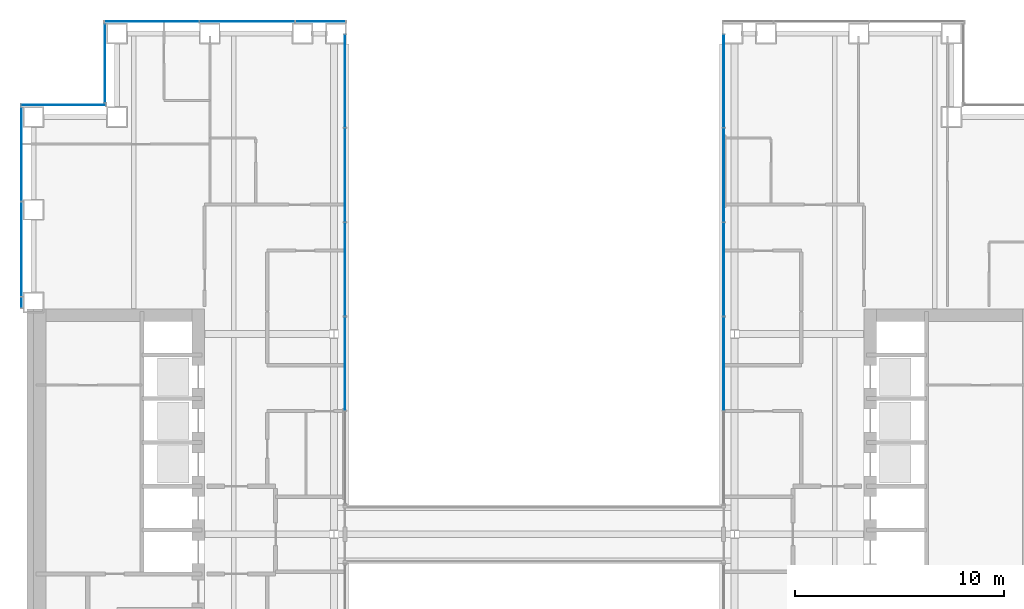
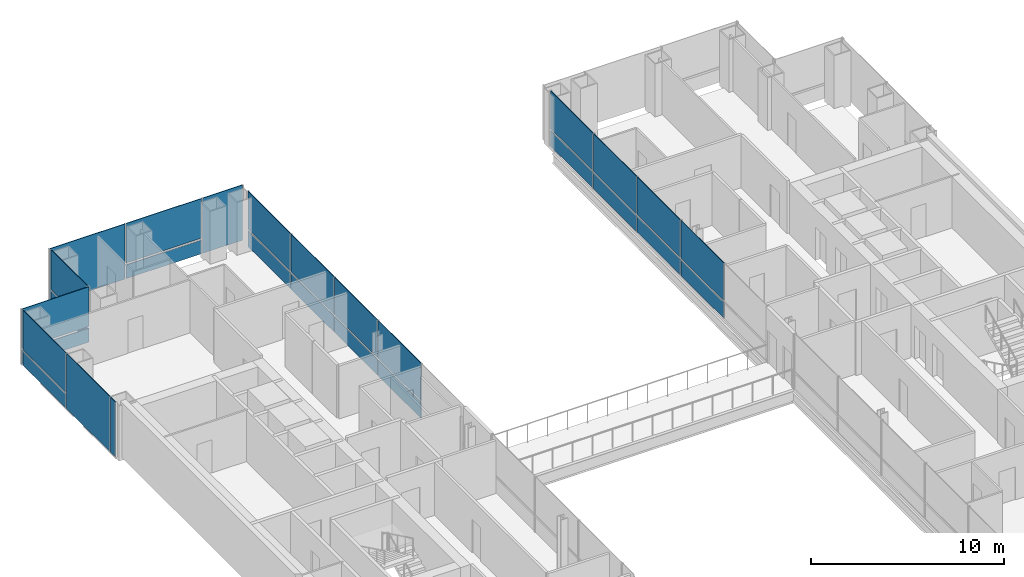
# One storey, part 11 of 18: 28 plates, 6 elements without a shape of their own.
"""IFC4 building model written with IfcOpenShell, lengths in metres."""

from ifc_helpers import new_model, si_unit, direction, frame, origin, origin_2d, place, context, subcontext, project, spatial, rectangle, extrude, material, layer, layer_set, type_object, element, aggregate, save


model = new_model("IFC4")

# Units and contexts
model_context = context("Model", 3, precision=1e-05, world=origin(), true_north=direction((0.0, 1.0)))
body_context = subcontext(model_context, "Body", "Model", "MODEL_VIEW")
ifc_project = project(units=[si_unit("LENGTHUNIT", "METRE"), si_unit("AREAUNIT", "SQUARE_METRE"), si_unit("VOLUMEUNIT", "CUBIC_METRE"), si_unit("PLANEANGLEUNIT", "RADIAN"), si_unit("MASSUNIT", "GRAM", prefix="KILO")], contexts=[model_context])

# Site, building, storey
site_placement = place(None, origin())
site = spatial("IfcSite", under=ifc_project, at=site_placement, CompositionType="ELEMENT")
building_placement = place(site_placement, origin())
building = spatial("IfcBuilding", under=site, at=building_placement, Name="Cobrizo Arcos Hotel Tower", CompositionType="ELEMENT")
storey_placement = place(building_placement, frame((0.0, 0.0, 77.5)))
storey = spatial("IfcBuildingStorey", under=building, at=storey_placement, Name="L18", CompositionType="ELEMENT", Elevation=77.5)

# Curtain wall, plate
ifc_material_1 = material(Name="Aluminium 6063-T6 anodised bronze", Category="aluminium")
curtain_wall_type_1 = type_object("IfcCurtainWallType", Name="CW-A guest facade", PredefinedType="NOTDEFINED", material=ifc_material_1)
curtain_wall_1_placement = place(storey_placement, origin())
curtain_wall_1 = element("IfcCurtainWall", 1, at=curtain_wall_1_placement, inside=storey, type_object=curtain_wall_type_1, Name="CW-A L18 N face", PredefinedType="NOTDEFINED")
ifc_material_2 = material(Name="Glass clear laminated low-e", Category="glass")
ifc_layer_1 = layer(ifc_material_2, 0.0400390625)
ifc_layer_set_1 = layer_set([ifc_layer_1], Name="CW-A glass panel")
plate_type_1 = type_object("IfcPlateType", Name="CW-A glass panel", PredefinedType="CURTAIN_PANEL", material=ifc_layer_set_1)
plate_1_placement = place(storey_placement, frame((-13.7666015625, 24.574951171875, 0.990234375), z_axis=(0.0, 0.0, 1.0), x_axis=(-1.0, 0.0, 0.0)))
plate_1 = element("IfcPlate", 2, at=plate_1_placement, type_object=plate_type_1, Name="CW-A glass panel 769", PredefinedType="CURTAIN_PANEL", context=body_context, shape_type="SweptSolid", body=[
    extrude(rectangle(XDim=4.52880859375, YDim=0.0400390625, at=origin_2d()), origin(), (0.0, 0.0, 1.0), 2.510009765625),
])

curtain_wall_2_placement = place(storey_placement, origin())
curtain_wall_2 = element("IfcCurtainWall", 3, at=curtain_wall_2_placement, inside=storey, type_object=curtain_wall_type_1, Name="CW-A L18 W face", PredefinedType="NOTDEFINED")
plate_2_placement = place(storey_placement, frame((-20.574951171875, 22.574951171875, 0.990234375), z_axis=(0.0, 0.0, 1.0), x_axis=(0.0, -1.0, 0.0)))
plate_2 = element("IfcPlate", 4, at=plate_2_placement, type_object=plate_type_1, Name="CW-A glass panel 771", PredefinedType="CURTAIN_PANEL", context=body_context, shape_type="SweptSolid", body=[
    extrude(rectangle(XDim=3.72998046875, YDim=0.0400390625, at=origin_2d()), origin(), (0.0, 0.0, 1.0), 2.510009765625),
])

curtain_wall_3_placement = place(storey_placement, origin())
curtain_wall_3 = element("IfcCurtainWall", 5, at=curtain_wall_3_placement, inside=storey, type_object=curtain_wall_type_1, Name="CW-A L18 N face", PredefinedType="NOTDEFINED")
plate_3_placement = place(storey_placement, frame((-22.574951171875, 20.574951171875, 0.990234375), z_axis=(0.0, 0.0, 1.0), x_axis=(-1.0, 0.0, 0.0)))
plate_3 = element("IfcPlate", 6, at=plate_3_placement, type_object=plate_type_1, Name="CW-A glass panel 772", PredefinedType="CURTAIN_PANEL", context=body_context, shape_type="SweptSolid", body=[
    extrude(rectangle(XDim=4.030029296875, YDim=0.0400390625, at=origin_2d()), origin(), (0.0, 0.0, 1.0), 2.510009765625),
])

curtain_wall_4_placement = place(storey_placement, origin())
curtain_wall_4 = element("IfcCurtainWall", 7, at=curtain_wall_4_placement, inside=storey, type_object=curtain_wall_type_1, Name="CW-A L18 W face", PredefinedType="NOTDEFINED")
plate_4_placement = place(storey_placement, frame((-24.574951171875, 18.207275390625, 0.990234375), z_axis=(0.0, 0.0, 1.0), x_axis=(0.0, -1.0, 0.0)))
plate_4 = element("IfcPlate", 8, at=plate_4_placement, type_object=plate_type_1, Name="CW-A glass panel 773", PredefinedType="CURTAIN_PANEL", context=body_context, shape_type="SweptSolid", body=[
    extrude(rectangle(XDim=4.465576171875, YDim=0.0400390625, at=origin_2d()), origin(), (0.0, 0.0, 1.0), 2.510009765625),
])

# Plate
ifc_material_3 = material(Name="Aluminium composite panel pale metal", Category="aluminium")
ifc_layer_2 = layer(ifc_material_3, 0.0400390625)
ifc_layer_set_2 = layer_set([ifc_layer_2], Name="CW-A spandrel panel")
plate_type_2 = type_object("IfcPlateType", Name="CW-A spandrel panel", PredefinedType="CURTAIN_PANEL", material=ifc_layer_set_2)
plate_5_placement = place(storey_placement, frame((-10.251220703125, 24.574951171875, 0.0), z_axis=(0.0, 0.0, 1.0), x_axis=(-1.0, 0.0, 0.0)))
plate_5 = element("IfcPlate", 9, at=plate_5_placement, type_object=plate_type_2, Name="CW-A spandrel panel 768", PredefinedType="CURTAIN_PANEL", context=body_context, shape_type="SweptSolid", body=[
    extrude(rectangle(XDim=2.38232421875, YDim=0.0400390625, at=origin_2d()), origin(), (0.0, 0.0, 1.0), 3.5),
])

plate_6_placement = place(storey_placement, frame((-13.7666015625, 24.574951171875, 0.0), z_axis=(0.0, 0.0, 1.0), x_axis=(-1.0, 0.0, 0.0)))
plate_6 = element("IfcPlate", 10, at=plate_6_placement, type_object=plate_type_2, Name="CW-A spandrel panel 769", PredefinedType="CURTAIN_PANEL", context=body_context, shape_type="SweptSolid", body=[
    extrude(rectangle(XDim=4.52880859375, YDim=0.0400390625, at=origin_2d()), origin(), (0.0, 0.0, 1.0), 0.8701171875),
])

plate_7_placement = place(storey_placement, frame((-18.340576171875, 24.574951171875, 0.0), z_axis=(0.0, 0.0, 1.0), x_axis=(-1.0, 0.0, 0.0)))
plate_7 = element("IfcPlate", 11, at=plate_7_placement, type_object=plate_type_2, Name="CW-A spandrel panel 770", PredefinedType="CURTAIN_PANEL", context=body_context, shape_type="SweptSolid", body=[
    extrude(rectangle(XDim=4.498779296875, YDim=0.0400390625, at=origin_2d()), origin(), (0.0, 0.0, 1.0), 3.5),
])

aggregate(curtain_wall_1, [plate_5, plate_6, plate_1, plate_7])

plate_8_placement = place(storey_placement, frame((-20.574951171875, 22.574951171875, 0.0), z_axis=(0.0, 0.0, 1.0), x_axis=(0.0, -1.0, 0.0)))
plate_8 = element("IfcPlate", 12, at=plate_8_placement, type_object=plate_type_2, Name="CW-A spandrel panel 771", PredefinedType="CURTAIN_PANEL", context=body_context, shape_type="SweptSolid", body=[
    extrude(rectangle(XDim=3.72998046875, YDim=0.0400390625, at=origin_2d()), origin(), (0.0, 0.0, 1.0), 0.8701171875),
])

aggregate(curtain_wall_2, [plate_8, plate_2])

plate_9_placement = place(storey_placement, frame((-22.574951171875, 20.574951171875, 0.0), z_axis=(0.0, 0.0, 1.0), x_axis=(-1.0, 0.0, 0.0)))
plate_9 = element("IfcPlate", 13, at=plate_9_placement, type_object=plate_type_2, Name="CW-A spandrel panel 772", PredefinedType="CURTAIN_PANEL", context=body_context, shape_type="SweptSolid", body=[
    extrude(rectangle(XDim=4.030029296875, YDim=0.0400390625, at=origin_2d()), origin(), (0.0, 0.0, 1.0), 0.8701171875),
])

aggregate(curtain_wall_3, [plate_9, plate_3])

plate_10_placement = place(storey_placement, frame((-24.574951171875, 18.207275390625, 0.0), z_axis=(0.0, 0.0, 1.0), x_axis=(0.0, -1.0, 0.0)))
plate_10 = element("IfcPlate", 14, at=plate_10_placement, type_object=plate_type_2, Name="CW-A spandrel panel 773", PredefinedType="CURTAIN_PANEL", context=body_context, shape_type="SweptSolid", body=[
    extrude(rectangle(XDim=4.465576171875, YDim=0.0400390625, at=origin_2d()), origin(), (0.0, 0.0, 1.0), 0.8701171875),
])

plate_11_placement = place(storey_placement, frame((-24.574951171875, 13.666748046875, 0.0), z_axis=(0.0, 0.0, 1.0), x_axis=(0.0, -1.0, 0.0)))
plate_11 = element("IfcPlate", 15, at=plate_11_placement, type_object=plate_type_2, Name="CW-A spandrel panel 774", PredefinedType="CURTAIN_PANEL", context=body_context, shape_type="SweptSolid", body=[
    extrude(rectangle(XDim=4.49560546875, YDim=0.0400390625, at=origin_2d()), origin(), (0.0, 0.0, 1.0), 3.5),
])

plate_12_placement = place(storey_placement, frame((-24.574951171875, 11.109375, 0.0), z_axis=(0.0, 0.0, 1.0), x_axis=(0.0, -1.0, 0.0)))
plate_12 = element("IfcPlate", 16, at=plate_12_placement, type_object=plate_type_2, Name="CW-A spandrel panel 775", PredefinedType="CURTAIN_PANEL", context=body_context, shape_type="SweptSolid", body=[
    extrude(rectangle(XDim=0.498779296875, YDim=0.0400390625, at=origin_2d()), origin(), (0.0, 0.0, 1.0), 3.5),
])

aggregate(curtain_wall_4, [plate_10, plate_4, plate_11, plate_12])

# Curtain wall, plates
curtain_wall_type_2 = type_object("IfcCurtainWallType", Name="CW-F void screen", PredefinedType="NOTDEFINED", material=ifc_material_1)
curtain_wall_5_placement = place(storey_placement, origin())
curtain_wall_5 = element("IfcCurtainWall", 17, at=curtain_wall_5_placement, inside=storey, type_object=curtain_wall_type_2, Name="CW-F L18 void screen A", PredefinedType="NOTDEFINED")
ifc_layer_3 = layer(ifc_material_2, 0.0400390625)
ifc_layer_set_3 = layer_set([ifc_layer_3], Name="CW-F glass panel")
plate_type_3 = type_object("IfcPlateType", Name="CW-F glass panel", PredefinedType="CURTAIN_PANEL", material=ifc_layer_set_3)
plate_13_placement = place(storey_placement, frame((9.074951171875, 8.179931640625, 0.0), z_axis=(0.0, 0.0, 1.0), x_axis=(0.0, 1.0, 0.0)))
plate_13 = element("IfcPlate", 18, at=plate_13_placement, type_object=plate_type_3, Name="CW-F glass panel 2534", PredefinedType="CURTAIN_PANEL", context=body_context, shape_type="SweptSolid", body=[
    extrude(rectangle(XDim=4.4599609375, YDim=0.0400390625, at=origin_2d()), origin(), (0.0, 0.0, 1.0), 0.989990234375),
])
plate_14_placement = place(storey_placement, frame((9.074951171875, 8.179931640625, 1.10986328125), z_axis=(0.0, 0.0, 1.0), x_axis=(0.0, 1.0, 0.0)))
plate_14 = element("IfcPlate", 19, at=plate_14_placement, type_object=plate_type_3, Name="CW-F glass panel 2534", PredefinedType="CURTAIN_PANEL", context=body_context, shape_type="SweptSolid", body=[
    extrude(rectangle(XDim=4.4599609375, YDim=0.0400390625, at=origin_2d()), origin(), (0.0, 0.0, 1.0), 2.389892578125),
])
plate_15_placement = place(storey_placement, frame((9.074951171875, 12.699951171875, 0.0), z_axis=(0.0, 0.0, 1.0), x_axis=(0.0, 1.0, 0.0)))
plate_15 = element("IfcPlate", 20, at=plate_15_placement, type_object=plate_type_3, Name="CW-F glass panel 2535", PredefinedType="CURTAIN_PANEL", context=body_context, shape_type="SweptSolid", body=[
    extrude(rectangle(XDim=4.4599609375, YDim=0.0400390625, at=origin_2d()), origin(), (0.0, 0.0, 1.0), 0.989990234375),
])
plate_16_placement = place(storey_placement, frame((9.074951171875, 12.699951171875, 1.10986328125), z_axis=(0.0, 0.0, 1.0), x_axis=(0.0, 1.0, 0.0)))
plate_16 = element("IfcPlate", 21, at=plate_16_placement, type_object=plate_type_3, Name="CW-F glass panel 2535", PredefinedType="CURTAIN_PANEL", context=body_context, shape_type="SweptSolid", body=[
    extrude(rectangle(XDim=4.4599609375, YDim=0.0400390625, at=origin_2d()), origin(), (0.0, 0.0, 1.0), 2.389892578125),
])
plate_17_placement = place(storey_placement, frame((9.074951171875, 17.219970703125, 0.0), z_axis=(0.0, 0.0, 1.0), x_axis=(0.0, 1.0, 0.0)))
plate_17 = element("IfcPlate", 22, at=plate_17_placement, type_object=plate_type_3, Name="CW-F glass panel 2536", PredefinedType="CURTAIN_PANEL", context=body_context, shape_type="SweptSolid", body=[
    extrude(rectangle(XDim=4.4599609375, YDim=0.0400390625, at=origin_2d()), origin(), (0.0, 0.0, 1.0), 0.989990234375),
])
plate_18_placement = place(storey_placement, frame((9.074951171875, 17.219970703125, 1.10986328125), z_axis=(0.0, 0.0, 1.0), x_axis=(0.0, 1.0, 0.0)))
plate_18 = element("IfcPlate", 23, at=plate_18_placement, type_object=plate_type_3, Name="CW-F glass panel 2536", PredefinedType="CURTAIN_PANEL", context=body_context, shape_type="SweptSolid", body=[
    extrude(rectangle(XDim=4.4599609375, YDim=0.0400390625, at=origin_2d()), origin(), (0.0, 0.0, 1.0), 2.389892578125),
])
plate_19_placement = place(storey_placement, frame((9.074951171875, 21.72509765625, 0.0), z_axis=(0.0, 0.0, 1.0), x_axis=(0.0, 1.0, 0.0)))
plate_19 = element("IfcPlate", 24, at=plate_19_placement, type_object=plate_type_3, Name="CW-F glass panel 2537", PredefinedType="CURTAIN_PANEL", context=body_context, shape_type="SweptSolid", body=[
    extrude(rectangle(XDim=4.429931640625, YDim=0.0400390625, at=origin_2d()), origin(), (0.0, 0.0, 1.0), 0.989990234375),
])
plate_20_placement = place(storey_placement, frame((9.074951171875, 21.72509765625, 1.10986328125), z_axis=(0.0, 0.0, 1.0), x_axis=(0.0, 1.0, 0.0)))
plate_20 = element("IfcPlate", 25, at=plate_20_placement, type_object=plate_type_3, Name="CW-F glass panel 2537", PredefinedType="CURTAIN_PANEL", context=body_context, shape_type="SweptSolid", body=[
    extrude(rectangle(XDim=4.429931640625, YDim=0.0400390625, at=origin_2d()), origin(), (0.0, 0.0, 1.0), 2.389892578125),
])
aggregate(curtain_wall_5, [plate_13, plate_14, plate_15, plate_16, plate_17, plate_18, plate_19, plate_20])

curtain_wall_6_placement = place(storey_placement, origin())
curtain_wall_6 = element("IfcCurtainWall", 26, at=curtain_wall_6_placement, inside=storey, type_object=curtain_wall_type_2, Name="CW-F L18 void screen A", PredefinedType="NOTDEFINED")
plate_21_placement = place(storey_placement, frame((-9.074951171875, 21.72509765625, 0.0), z_axis=(0.0, 0.0, 1.0), x_axis=(0.0, -1.0, 0.0)))
plate_21 = element("IfcPlate", 27, at=plate_21_placement, type_object=plate_type_3, Name="CW-F glass panel 2538", PredefinedType="CURTAIN_PANEL", context=body_context, shape_type="SweptSolid", body=[
    extrude(rectangle(XDim=4.429931640625, YDim=0.0400390625, at=origin_2d()), origin(), (0.0, 0.0, 1.0), 0.989990234375),
])
plate_22_placement = place(storey_placement, frame((-9.074951171875, 21.72509765625, 1.10986328125), z_axis=(0.0, 0.0, 1.0), x_axis=(0.0, -1.0, 0.0)))
plate_22 = element("IfcPlate", 28, at=plate_22_placement, type_object=plate_type_3, Name="CW-F glass panel 2538", PredefinedType="CURTAIN_PANEL", context=body_context, shape_type="SweptSolid", body=[
    extrude(rectangle(XDim=4.429931640625, YDim=0.0400390625, at=origin_2d()), origin(), (0.0, 0.0, 1.0), 2.389892578125),
])
plate_23_placement = place(storey_placement, frame((-9.074951171875, 17.219970703125, 0.0), z_axis=(0.0, 0.0, 1.0), x_axis=(0.0, -1.0, 0.0)))
plate_23 = element("IfcPlate", 29, at=plate_23_placement, type_object=plate_type_3, Name="CW-F glass panel 2539", PredefinedType="CURTAIN_PANEL", context=body_context, shape_type="SweptSolid", body=[
    extrude(rectangle(XDim=4.4599609375, YDim=0.0400390625, at=origin_2d()), origin(), (0.0, 0.0, 1.0), 0.989990234375),
])
plate_24_placement = place(storey_placement, frame((-9.074951171875, 17.219970703125, 1.10986328125), z_axis=(0.0, 0.0, 1.0), x_axis=(0.0, -1.0, 0.0)))
plate_24 = element("IfcPlate", 30, at=plate_24_placement, type_object=plate_type_3, Name="CW-F glass panel 2539", PredefinedType="CURTAIN_PANEL", context=body_context, shape_type="SweptSolid", body=[
    extrude(rectangle(XDim=4.4599609375, YDim=0.0400390625, at=origin_2d()), origin(), (0.0, 0.0, 1.0), 2.389892578125),
])
plate_25_placement = place(storey_placement, frame((-9.074951171875, 12.699951171875, 0.0), z_axis=(0.0, 0.0, 1.0), x_axis=(0.0, -1.0, 0.0)))
plate_25 = element("IfcPlate", 31, at=plate_25_placement, type_object=plate_type_3, Name="CW-F glass panel 2540", PredefinedType="CURTAIN_PANEL", context=body_context, shape_type="SweptSolid", body=[
    extrude(rectangle(XDim=4.4599609375, YDim=0.0400390625, at=origin_2d()), origin(), (0.0, 0.0, 1.0), 0.989990234375),
])
plate_26_placement = place(storey_placement, frame((-9.074951171875, 12.699951171875, 1.10986328125), z_axis=(0.0, 0.0, 1.0), x_axis=(0.0, -1.0, 0.0)))
plate_26 = element("IfcPlate", 32, at=plate_26_placement, type_object=plate_type_3, Name="CW-F glass panel 2540", PredefinedType="CURTAIN_PANEL", context=body_context, shape_type="SweptSolid", body=[
    extrude(rectangle(XDim=4.4599609375, YDim=0.0400390625, at=origin_2d()), origin(), (0.0, 0.0, 1.0), 2.389892578125),
])
plate_27_placement = place(storey_placement, frame((-9.074951171875, 8.179931640625, 0.0), z_axis=(0.0, 0.0, 1.0), x_axis=(0.0, -1.0, 0.0)))
plate_27 = element("IfcPlate", 33, at=plate_27_placement, type_object=plate_type_3, Name="CW-F glass panel 2541", PredefinedType="CURTAIN_PANEL", context=body_context, shape_type="SweptSolid", body=[
    extrude(rectangle(XDim=4.4599609375, YDim=0.0400390625, at=origin_2d()), origin(), (0.0, 0.0, 1.0), 0.989990234375),
])
plate_28_placement = place(storey_placement, frame((-9.074951171875, 8.179931640625, 1.10986328125), z_axis=(0.0, 0.0, 1.0), x_axis=(0.0, -1.0, 0.0)))
plate_28 = element("IfcPlate", 34, at=plate_28_placement, type_object=plate_type_3, Name="CW-F glass panel 2541", PredefinedType="CURTAIN_PANEL", context=body_context, shape_type="SweptSolid", body=[
    extrude(rectangle(XDim=4.4599609375, YDim=0.0400390625, at=origin_2d()), origin(), (0.0, 0.0, 1.0), 2.389892578125),
])
aggregate(curtain_wall_6, [plate_21, plate_22, plate_23, plate_24, plate_25, plate_26, plate_27, plate_28])

save(model, "model.ifc")
